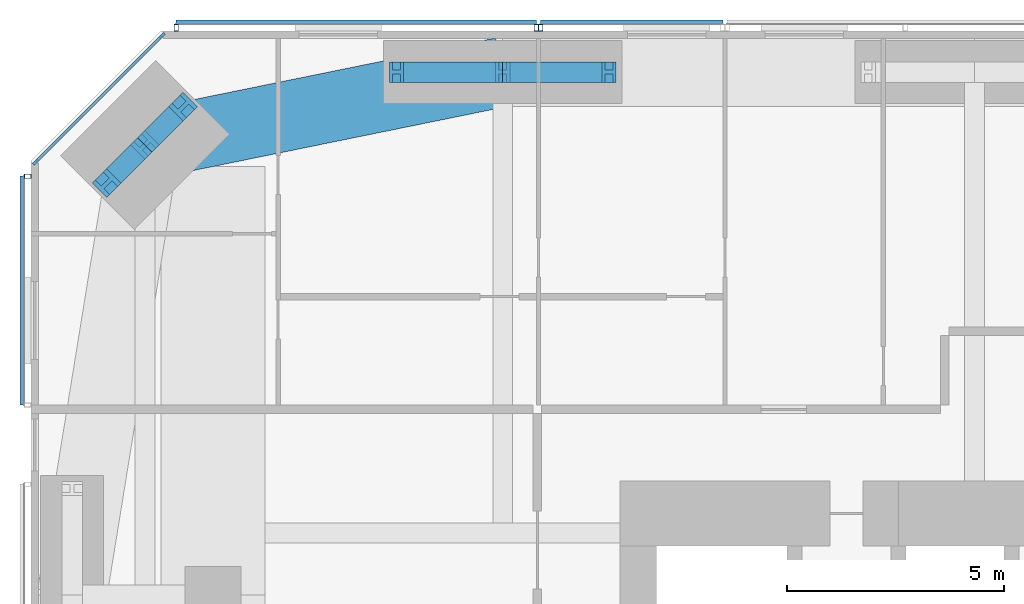
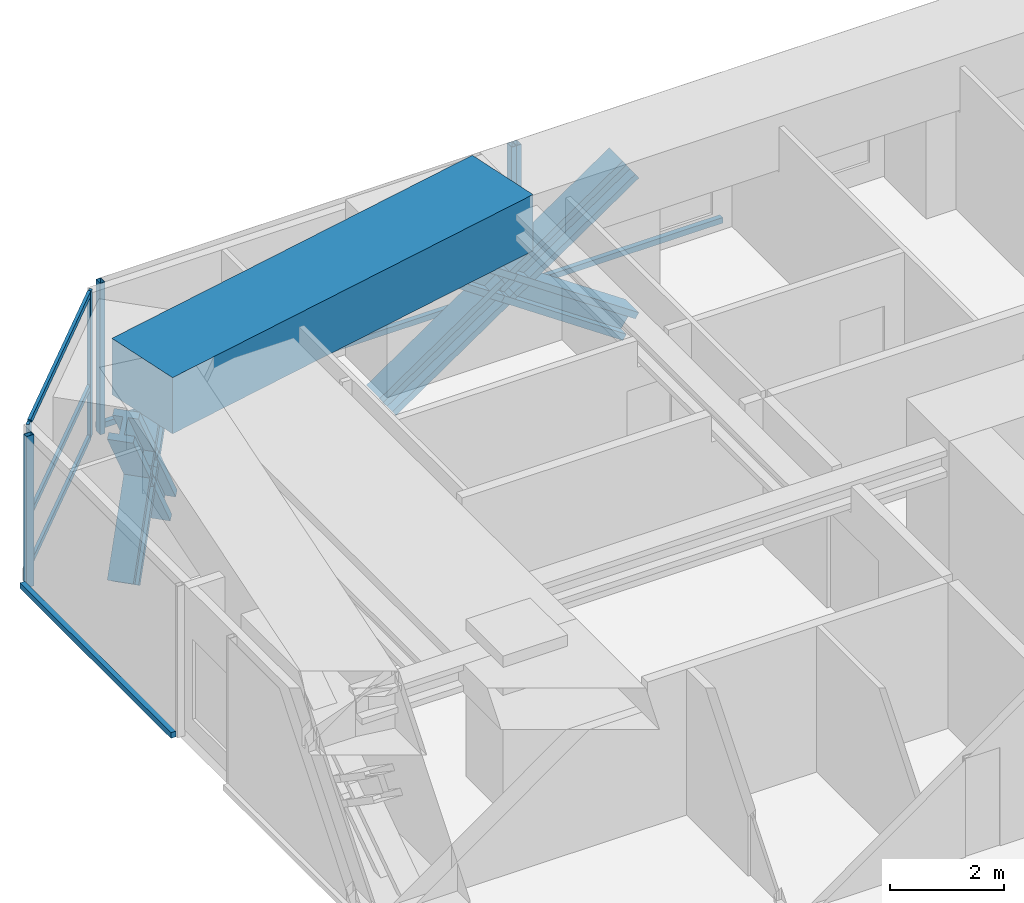
# One storey, part 11 of 23: 20 members, 1 beam, 4 elements without a shape of their own.
"""IFC4 building model written with IfcOpenShell, lengths in metres."""

from ifc_helpers import new_model, si_unit, direction, frame, origin, origin_2d, place, context, subcontext, project, spatial, rectangle, hollow_rectangle, i_section, extrude, material, material_profile, profile_set, type_object, element, aggregate, save


model = new_model("IFC4")

# Units and contexts
model_context = context("Model", 3, precision=1e-05, world=origin(), true_north=direction((0.0, 1.0)))
body_context = subcontext(model_context, "Body", "Model", "MODEL_VIEW")
ifc_project = project(units=[si_unit("LENGTHUNIT", "METRE"), si_unit("AREAUNIT", "SQUARE_METRE"), si_unit("VOLUMEUNIT", "CUBIC_METRE"), si_unit("PLANEANGLEUNIT", "RADIAN"), si_unit("MASSUNIT", "GRAM", prefix="KILO")], contexts=[model_context])

# Site, building, storey
site_placement = place(None, origin())
site = spatial("IfcSite", under=ifc_project, at=site_placement, CompositionType="ELEMENT")
building_placement = place(site_placement, origin())
building = spatial("IfcBuilding", under=site, at=building_placement, Name="Jalousie Tower", CompositionType="ELEMENT")
storey_placement = place(building_placement, frame((0.0, 0.0, 104.85009765625)))
storey = spatial("IfcBuildingStorey", under=building, at=storey_placement, Name="L28", CompositionType="ELEMENT", Elevation=104.85009765625)

# Curtain wall, members
ifc_material_1 = material(Name="Aluminium curtain wall", Category="aluminium")
curtain_wall_type_1 = type_object("IfcCurtainWallType", Name="CORNER WINDOW WALL", PredefinedType="USERDEFINED", material=ifc_material_1)
curtain_wall_1_placement = place(storey_placement, origin())
curtain_wall_1 = element("IfcCurtainWall", 1, at=curtain_wall_1_placement, inside=storey, type_object=curtain_wall_type_1, Name="Corner Window Wall L28 6", ObjectType="CORNER WINDOW WALL", PredefinedType="USERDEFINED")
ifc_material_2 = material(Name="Aluminium mullion", Category="aluminium")
ifc_material_profile_1 = material_profile(ifc_material_2, rectangle(XDim=0.06005859375, YDim=0.14990234375, at=origin_2d()), Name="MULLION 60x150")
ifc_profile_set_1 = profile_set([ifc_material_profile_1], Name="Aluminium mullion")
member_type_1 = type_object("IfcMemberType", Name="CORNER WINDOW WALL MULLION", PredefinedType="MULLION", material=ifc_profile_set_1)
member_1_placement = place(storey_placement, frame((9.030029296875, 37.891357421875, 0.0), z_axis=(0.0, 0.0, 1.0), x_axis=(0.707106781187, -0.707106781187, 0.0)))
member_1 = element("IfcMember", 2, at=member_1_placement, type_object=member_type_1, Name="CW-C mullion 1", PredefinedType="MULLION", context=body_context, shape_type="SweptSolid", body=[
    extrude(rectangle(XDim=0.06005859375, YDim=0.14990234375, at=origin_2d()), origin(), (0.0, 0.0, 1.0), 3.10986328125),
])
member_2_placement = place(storey_placement, frame((6.108642578125, 34.969970703125, 0.0), z_axis=(0.0, 0.0, 1.0), x_axis=(0.707106781187, -0.707106781187, 0.0)))
member_2 = element("IfcMember", 3, at=member_2_placement, type_object=member_type_1, Name="CW-C mullion 2", PredefinedType="MULLION", context=body_context, shape_type="SweptSolid", body=[
    extrude(rectangle(XDim=0.06005859375, YDim=0.14990234375, at=origin_2d()), origin(), (0.0, 0.0, 1.0), 3.10986328125),
])
ifc_material_3 = material(Name="Aluminium transom", Category="aluminium")
ifc_material_profile_2 = material_profile(ifc_material_3, rectangle(XDim=0.06005859375, YDim=0.1201171875, at=origin_2d()), Name="TRANSOM 60x120")
ifc_profile_set_2 = profile_set([ifc_material_profile_2], Name="Aluminium transom")
member_type_2 = type_object("IfcMemberType", Name="CORNER WINDOW WALL TRANSOM", PredefinedType="USERDEFINED", material=ifc_profile_set_2)
member_3_placement = place(storey_placement, frame((9.0087890625, 37.8701171875, 0.02978515625), z_axis=(-0.707106781187, -0.707106781187, 0.0), x_axis=(0.707106781187, -0.707106781187, 0.0)))
member_3 = element("IfcMember", 4, at=member_3_placement, type_object=member_type_2, Name="CW-C transom 1.1", ObjectType="TRANSOM", PredefinedType="USERDEFINED", context=body_context, shape_type="SweptSolid", body=[
    extrude(rectangle(XDim=0.06005859375, YDim=0.1201171875, at=origin_2d()), origin(), (0.0, 0.0, 1.0), 4.0712890625),
])
member_4_placement = place(storey_placement, frame((9.0087890625, 37.8701171875, 1.099853515625), z_axis=(-0.707106781187, -0.707106781187, 0.0), x_axis=(0.707106781187, -0.707106781187, 0.0)))
member_4 = element("IfcMember", 5, at=member_4_placement, type_object=member_type_2, Name="CW-C transom 1.2", ObjectType="TRANSOM", PredefinedType="USERDEFINED", context=body_context, shape_type="SweptSolid", body=[
    extrude(rectangle(XDim=0.06005859375, YDim=0.1201171875, at=origin_2d()), origin(), (0.0, 0.0, 1.0), 4.0712890625),
])
member_5_placement = place(storey_placement, frame((9.0087890625, 37.8701171875, 3.079833984375), z_axis=(-0.707106781187, -0.707106781187, 0.0), x_axis=(0.707106781187, -0.707106781187, 0.0)))
member_5 = element("IfcMember", 6, at=member_5_placement, type_object=member_type_2, Name="CW-C transom 1.3", ObjectType="TRANSOM", PredefinedType="USERDEFINED", context=body_context, shape_type="SweptSolid", body=[
    extrude(rectangle(XDim=0.06005859375, YDim=0.1201171875, at=origin_2d()), origin(), (0.0, 0.0, 1.0), 4.0712890625),
])
aggregate(curtain_wall_1, [member_1, member_2, member_3, member_4, member_5])

# Members
ifc_material_4 = material(Name="Steel ASTM A992 Grade 50", Category="steel")
ifc_material_profile_3 = material_profile(ifc_material_4, i_section(OverallWidth=0.472412109375, OverallDepth=0.5791015625, WebThickness=0.094970703125, FlangeThickness=0.1298828125, at=origin_2d()), Name="W14X808")
ifc_profile_set_3 = profile_set([ifc_material_profile_3], Name="Steel ASTM A992 Grade 50")
member_type_3 = type_object("IfcMemberType", Name="PERIMETER BRACE W14X808", PredefinedType="BRACE", material=ifc_profile_set_3)
for number, where, z_axis, x_axis, name in (
    (7, (14.425048828125, 37.050048828125, -0.60009765625), (0.825500916831, 0.0, 0.564400776321), (0.0, 1.0, 0.0), "Perimeter brace 11 L28 part 1"),
    (8, (16.875, 37.050048828125, 1.074951171875), (0.825500916831, 0.0, 0.564400776321), (0.0, 1.0, 0.0), "Perimeter brace 11 L28 part 2"),
    (9, (19.324951171875, 37.050048828125, -0.60009765625), (-0.825500916831, 0.0, 0.564400776321), (0.0, -1.0, 0.0), "Perimeter brace 11 L28 part 3"),
    (10, (16.875, 37.050048828125, 1.074951171875), (-0.825500916831, 0.0, 0.564400776321), (0.0, -1.0, 0.0), "Perimeter brace 11 L28 part 4"),
):
    element("IfcMember", number, at=place(storey_placement, frame(where, z_axis=z_axis, x_axis=x_axis)), inside=storey, type_object=member_type_3, Name=name, PredefinedType="BRACE", context=body_context, shape_type="SweptSolid", body=[
        extrude(i_section(OverallWidth=0.472412109375, OverallDepth=0.5791015625, WebThickness=0.094970703125, FlangeThickness=0.1298828125, at=origin_2d()), origin(), (0.0, 0.0, 1.0), 2.9677734375),
    ])
for number, where, z_axis, x_axis, name in (
    (11, (9.515380859375, 36.25244140625, -0.60009765625), (-0.422968528423, -0.422851718556, 0.801432497518), (0.70700912125, -0.707204427637, 0.0), "Perimeter brace 12 L28 part 1"),
    (12, (8.63134765625, 35.36865234375, 1.074951171875), (-0.422851718556, -0.422968528423, 0.801432497518), (0.707204427637, -0.70700912125, 0.0), "Perimeter brace 12 L28 part 2"),
    (13, (7.74755859375, 34.484619140625, -0.60009765625), (0.422851718556, 0.422968528423, 0.801432497518), (-0.707204427637, 0.70700912125, 0.0), "Perimeter brace 12 L28 part 3"),
    (14, (8.63134765625, 35.36865234375, 1.074951171875), (0.422968528423, 0.422851718556, 0.801432497518), (-0.70700912125, 0.707204427637, 0.0), "Perimeter brace 12 L28 part 4"),
):
    element("IfcMember", number, at=place(storey_placement, frame(where, z_axis=z_axis, x_axis=x_axis)), inside=storey, type_object=member_type_3, Name=name, PredefinedType="BRACE", context=body_context, shape_type="SweptSolid", body=[
        extrude(i_section(OverallWidth=0.472412109375, OverallDepth=0.5791015625, WebThickness=0.094970703125, FlangeThickness=0.1298828125, at=origin_2d()), origin(), (0.0, 0.0, 1.0), 2.090087890625),
    ])

# Beam
ifc_material_5 = material(Name="Concrete f'c 40 MPa", Category="concrete")
ifc_material_profile_4 = material_profile(ifc_material_5, rectangle(XDim=1.60009765625, YDim=1.199951171875, at=origin_2d()), Name="RC 1600x1200")
ifc_profile_set_4 = profile_set([ifc_material_profile_4], Name="Concrete f'c 40 MPa")
beam_type = type_object("IfcBeamType", Name="RC BEAM 1600x1200", PredefinedType="BEAM", material=ifc_profile_set_4)
beam_placement = place(storey_placement, frame((16.875, 37.050048828125, 2.75), z_axis=(-0.97982690954, -0.199848010602, 0.0), x_axis=(0.199848010602, -0.97982690954, 0.0)))
element("IfcBeam", 15, at=beam_placement, inside=storey, type_object=beam_type, Name="Edge band beam 11-12 under L29", PredefinedType="BEAM", context=body_context, shape_type="SweptSolid", body=[
    extrude(rectangle(XDim=1.60009765625, YDim=1.199951171875, at=origin_2d()), origin(), (0.0, 0.0, 1.0), 8.413330078125),
])

# Curtain wall, member
ifc_material_6 = material(Name="Perforated aluminium sheet", Category="aluminium")
curtain_wall_type_2 = type_object("IfcCurtainWallType", Name="SOLAR SCREEN SS-1", PredefinedType="USERDEFINED", material=ifc_material_6)
curtain_wall_2_placement = place(storey_placement, origin())
curtain_wall_2 = element("IfcCurtainWall", 16, at=curtain_wall_2_placement, inside=storey, type_object=curtain_wall_type_2, Name="Solar screen L28", ObjectType="SOLAR SCREEN SS-1", PredefinedType="USERDEFINED")
ifc_material_7 = material(Name="Steel ASTM A500 Grade C", Category="steel")
ifc_material_profile_5 = material_profile(ifc_material_7, hollow_rectangle(XDim=0.1015625, YDim=0.15234375, WallThickness=0.00634765625, at=origin_2d()), Name="HSS6X4X1/4")
ifc_profile_set_5 = profile_set([ifc_material_profile_5], Name="Steel ASTM A500 Grade C")
member_type_4 = type_object("IfcMemberType", Name="SOLAR SCREEN SS-1 MULLION", PredefinedType="MULLION", material=ifc_profile_set_5)
member_6_placement = place(storey_placement, frame((17.75, 38.0712890625, -0.1201171875), z_axis=(0.0, 0.0, 1.0), x_axis=(-1.0, 0.0, 0.0)))
member_6 = element("IfcMember", 17, at=member_6_placement, type_object=member_type_4, Name="SS1 post 2", PredefinedType="MULLION", context=body_context, shape_type="SweptSolid", body=[
    extrude(hollow_rectangle(XDim=0.1015625, YDim=0.15234375, WallThickness=0.00634765625, at=origin_2d()), origin(), (0.0, 0.0, 1.0), 3.22998046875),
])

# Curtain wall, members
curtain_wall_3_placement = place(storey_placement, origin())
curtain_wall_3 = element("IfcCurtainWall", 18, at=curtain_wall_3_placement, inside=storey, type_object=curtain_wall_type_2, Name="Solar screen L28", ObjectType="SOLAR SCREEN SS-1", PredefinedType="USERDEFINED")
member_7_placement = place(storey_placement, frame((17.64990234375, 38.0712890625, -0.1201171875), z_axis=(0.0, 0.0, 1.0), x_axis=(-1.0, 0.0, 0.0)))
member_7 = element("IfcMember", 19, at=member_7_placement, type_object=member_type_4, Name="SS1 post 1", PredefinedType="MULLION", context=body_context, shape_type="SweptSolid", body=[
    extrude(hollow_rectangle(XDim=0.1015625, YDim=0.15234375, WallThickness=0.00634765625, at=origin_2d()), origin(), (0.0, 0.0, 1.0), 3.22998046875),
])
member_8_placement = place(storey_placement, frame((9.351318359375, 38.0712890625, -0.1201171875), z_axis=(0.0, 0.0, 1.0), x_axis=(-1.0, 0.0, 0.0)))
member_8 = element("IfcMember", 20, at=member_8_placement, type_object=member_type_4, Name="SS1 post 2", PredefinedType="MULLION", context=body_context, shape_type="SweptSolid", body=[
    extrude(hollow_rectangle(XDim=0.1015625, YDim=0.15234375, WallThickness=0.00634765625, at=origin_2d()), origin(), (0.0, 0.0, 1.0), 3.22998046875),
])

# Curtain wall, member
curtain_wall_4_placement = place(storey_placement, origin())
curtain_wall_4 = element("IfcCurtainWall", 21, at=curtain_wall_4_placement, inside=storey, type_object=curtain_wall_type_2, Name="Solar screen L28", ObjectType="SOLAR SCREEN SS-1", PredefinedType="USERDEFINED")
member_9_placement = place(storey_placement, frame((5.9287109375, 34.648681640625, -0.1201171875), z_axis=(0.0, 0.0, 1.0), x_axis=(0.0, -1.0, 0.0)))
member_9 = element("IfcMember", 22, at=member_9_placement, type_object=member_type_4, Name="SS1 post 1", PredefinedType="MULLION", context=body_context, shape_type="SweptSolid", body=[
    extrude(hollow_rectangle(XDim=0.1015625, YDim=0.15234375, WallThickness=0.00634765625, at=origin_2d()), origin(), (0.0, 0.0, 1.0), 3.22998046875),
])

# Member
ifc_material_8 = material(Name="Extruded aluminium screen rail", Category="aluminium")
ifc_material_profile_6 = material_profile(ifc_material_8, rectangle(XDim=0.1015625, YDim=0.1201171875, at=origin_2d()), Name="RAIL 102x120")
ifc_profile_set_6 = profile_set([ifc_material_profile_6], Name="Extruded aluminium screen rail")
member_type_5 = type_object("IfcMemberType", Name="SOLAR SCREEN SS-1 TRANSOM", PredefinedType="USERDEFINED", material=ifc_profile_set_6)
member_10_placement = place(storey_placement, frame((21.949951171875, 38.1982421875, -0.06005859375), z_axis=(-1.0, 0.0, 0.0), x_axis=(0.0, -1.0, 0.0)))
member_10 = element("IfcMember", 23, at=member_10_placement, type_object=member_type_5, Name="SS1 rail", ObjectType="TRANSOM", PredefinedType="USERDEFINED", context=body_context, shape_type="SweptSolid", body=[
    extrude(rectangle(XDim=0.1015625, YDim=0.1201171875, at=origin_2d()), origin(), (0.0, 0.0, 1.0), 4.199951171875),
])

aggregate(curtain_wall_2, [member_6, member_10])

member_11_placement = place(storey_placement, frame((17.64990234375, 38.1982421875, -0.06005859375), z_axis=(-1.0, 0.0, 0.0), x_axis=(0.0, -1.0, 0.0)))
member_11 = element("IfcMember", 24, at=member_11_placement, type_object=member_type_5, Name="SS1 rail", ObjectType="TRANSOM", PredefinedType="USERDEFINED", context=body_context, shape_type="SweptSolid", body=[
    extrude(rectangle(XDim=0.1015625, YDim=0.1201171875, at=origin_2d()), origin(), (0.0, 0.0, 1.0), 8.298583984375),
])

aggregate(curtain_wall_3, [member_7, member_8, member_11])

member_12_placement = place(storey_placement, frame((5.8017578125, 34.648681640625, -0.06005859375), z_axis=(0.0, -1.0, 0.0), x_axis=(1.0, 0.0, 0.0)))
member_12 = element("IfcMember", 25, at=member_12_placement, type_object=member_type_5, Name="SS1 rail", ObjectType="TRANSOM", PredefinedType="USERDEFINED", context=body_context, shape_type="SweptSolid", body=[
    extrude(rectangle(XDim=0.1015625, YDim=0.1201171875, at=origin_2d()), origin(), (0.0, 0.0, 1.0), 5.273681640625),
])

aggregate(curtain_wall_4, [member_9, member_12])

save(model, "model.ifc")
